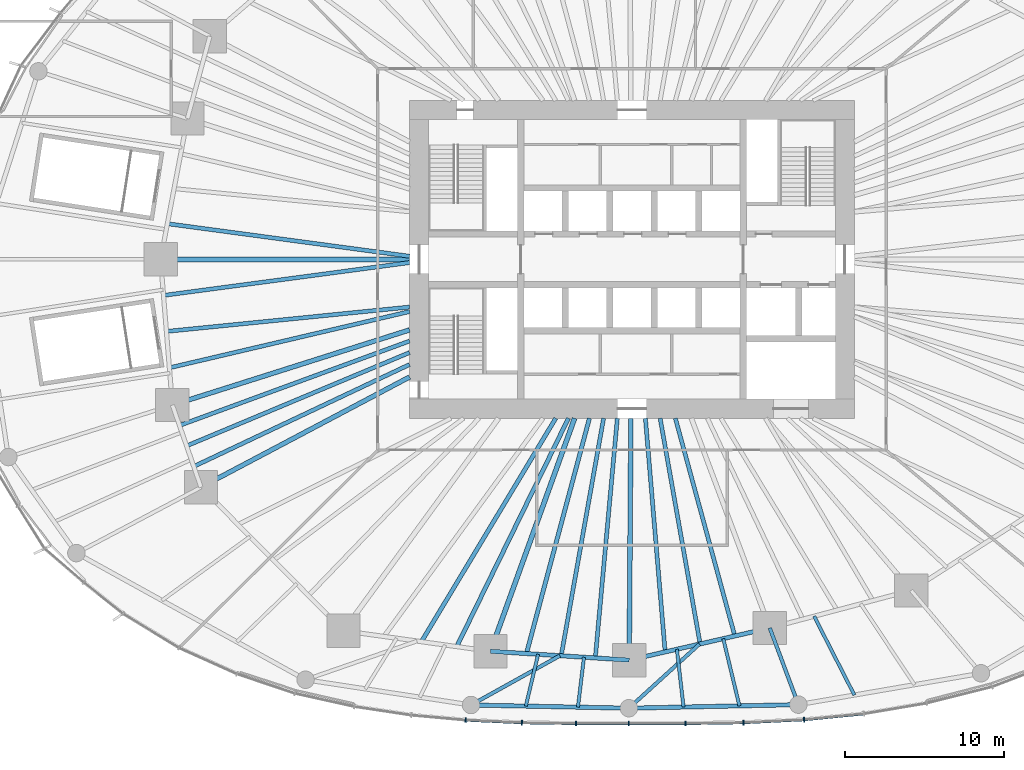
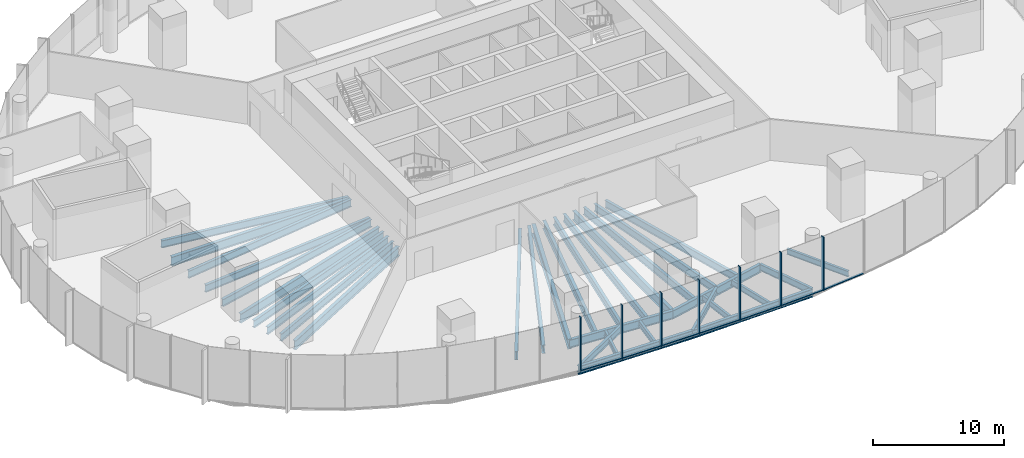
# One storey, part 3 of 27: 32 beams, 14 members, 3 elements without a shape of their own.
"""IFC4 building model written with IfcOpenShell, lengths in metres."""

from ifc_helpers import new_model, si_unit, direction, frame, origin, origin_2d, place, context, subcontext, project, spatial, rectangle, i_section, extrude, material, material_profile, profile_set, type_object, element, aggregate, save


model = new_model("IFC4")

# Units and contexts
model_context = context("Model", 3, precision=1e-05, world=origin(), true_north=direction((0.0, 1.0)))
body_context = subcontext(model_context, "Body", "Model", "MODEL_VIEW")
ifc_project = project(units=[si_unit("LENGTHUNIT", "METRE"), si_unit("AREAUNIT", "SQUARE_METRE"), si_unit("VOLUMEUNIT", "CUBIC_METRE"), si_unit("PLANEANGLEUNIT", "RADIAN"), si_unit("MASSUNIT", "GRAM", prefix="KILO")], contexts=[model_context])

# Site, building, storey
site_placement = place(None, origin())
site = spatial("IfcSite", under=ifc_project, at=site_placement, CompositionType="ELEMENT")
building_placement = place(site_placement, origin())
building = spatial("IfcBuilding", under=site, at=building_placement, Name="Ghaith Harvest Tower", CompositionType="ELEMENT")
storey_placement = place(building_placement, frame((0.0, 0.0, 10.0)))
storey = spatial("IfcBuildingStorey", under=building, at=storey_placement, Name="L02", CompositionType="ELEMENT", Elevation=10.0)

# Curtain wall, members
ifc_material_1 = material(Name="Black anodised aluminium and fritted glass", Category="aluminium")
curtain_wall_type = type_object("IfcCurtainWallType", Name="CW-P CURTAIN WALL", PredefinedType="NOTDEFINED", material=ifc_material_1)
curtain_wall_1_placement = place(storey_placement, origin())
curtain_wall_1 = element("IfcCurtainWall", 1, at=curtain_wall_1_placement, inside=storey, type_object=curtain_wall_type, Name="Curtain wall CW-P bay 15 L02", PredefinedType="NOTDEFINED")
ifc_material_2 = material(Name="Aluminium, black anodised", Category="aluminium")
ifc_material_profile_1 = material_profile(ifc_material_2, rectangle(XDim=0.080078125, YDim=0.300048828125, at=origin_2d()), Name="CW-P MULLION 80x300")
ifc_profile_set_1 = profile_set([ifc_material_profile_1], Name="Aluminium, black anodised")
member_type_1 = type_object("IfcMemberType", Name="CW-P MULLION 80x300", PredefinedType="MULLION", material=ifc_profile_set_1)
member_1_placement = place(storey_placement, frame((-10.47412109375, -28.99951171875, 0.0), z_axis=(0.0, 0.0, 1.0), x_axis=(0.997678039271, -0.06810675412, 0.0)))
member_1 = element("IfcMember", 2, at=member_1_placement, type_object=member_type_1, Name="CW-P mullion 1 bay 15 L02", PredefinedType="MULLION", context=body_context, shape_type="SweptSolid", body=[
    extrude(rectangle(XDim=0.080078125, YDim=0.300048828125, at=origin_2d()), origin(), (0.0, 0.0, 1.0), 5.0),
])
member_2_placement = place(storey_placement, frame((-6.931396484375, -29.1630859375, 0.0), z_axis=(0.0, 0.0, 1.0), x_axis=(0.999511883012, -0.031240930161, 0.0)))
member_2 = element("IfcMember", 3, at=member_2_placement, type_object=member_type_1, Name="CW-P mullion 2 bay 15 L02", PredefinedType="MULLION", context=body_context, shape_type="SweptSolid", body=[
    extrude(rectangle(XDim=0.080078125, YDim=0.300048828125, at=origin_2d()), origin(), (0.0, 0.0, 1.0), 5.0),
])
member_3_placement = place(storey_placement, frame((-3.52587890625, -29.216796875, 0.0), z_axis=(0.0, 0.0, 1.0), x_axis=(0.999964009515, -0.008484083564, 0.0)))
member_3 = element("IfcMember", 4, at=member_3_placement, type_object=member_type_1, Name="CW-P mullion 3 bay 15 L02", PredefinedType="MULLION", context=body_context, shape_type="SweptSolid", body=[
    extrude(rectangle(XDim=0.080078125, YDim=0.300048828125, at=origin_2d()), origin(), (0.0, 0.0, 1.0), 5.0),
])

curtain_wall_2_placement = place(storey_placement, origin())
curtain_wall_2 = element("IfcCurtainWall", 5, at=curtain_wall_2_placement, inside=storey, type_object=curtain_wall_type, Name="Curtain wall CW-P bay 16 L02", PredefinedType="NOTDEFINED")
member_4_placement = place(storey_placement, frame((-0.199951171875, -29.219970703125, 0.0), z_axis=(0.0, 0.0, 1.0), x_axis=(0.999999991899, -0.000127289934, 0.0)))
member_4 = element("IfcMember", 6, at=member_4_placement, type_object=member_type_1, Name="CW-P mullion 1 bay 16 L02", PredefinedType="MULLION", context=body_context, shape_type="SweptSolid", body=[
    extrude(rectangle(XDim=0.080078125, YDim=0.300048828125, at=origin_2d()), origin(), (0.0, 0.0, 1.0), 5.0),
])
member_5_placement = place(storey_placement, frame((3.36572265625, -29.2177734375, 0.0), z_axis=(0.0, 0.0, 1.0), x_axis=(0.999965896499, 0.008258682643, 0.0)))
member_5 = element("IfcMember", 7, at=member_5_placement, type_object=member_type_1, Name="CW-P mullion 2 bay 16 L02", PredefinedType="MULLION", context=body_context, shape_type="SweptSolid", body=[
    extrude(rectangle(XDim=0.080078125, YDim=0.300048828125, at=origin_2d()), origin(), (0.0, 0.0, 1.0), 5.0),
])
member_6_placement = place(storey_placement, frame((7.019287109375, -29.160400390625, 0.0), z_axis=(0.0, 0.0, 1.0), x_axis=(0.999471964708, 0.032492949445, 0.0)))
member_6 = element("IfcMember", 8, at=member_6_placement, type_object=member_type_1, Name="CW-P mullion 3 bay 16 L02", PredefinedType="MULLION", context=body_context, shape_type="SweptSolid", body=[
    extrude(rectangle(XDim=0.080078125, YDim=0.300048828125, at=origin_2d()), origin(), (0.0, 0.0, 1.0), 5.0),
])

# Curtain wall, member
curtain_wall_3_placement = place(storey_placement, origin())
curtain_wall_3 = element("IfcCurtainWall", 9, at=curtain_wall_3_placement, inside=storey, type_object=curtain_wall_type, Name="Curtain wall CW-P bay 17 L02", PredefinedType="NOTDEFINED")
member_7_placement = place(storey_placement, frame((10.831787109375, -28.974853515625, 0.0), z_axis=(0.0, 0.0, 1.0), x_axis=(0.997280573598, 0.073698422803, 0.0)))
member_7 = element("IfcMember", 10, at=member_7_placement, type_object=member_type_1, Name="CW-P mullion 1 bay 17 L02", PredefinedType="MULLION", context=body_context, shape_type="SweptSolid", body=[
    extrude(rectangle(XDim=0.080078125, YDim=0.300048828125, at=origin_2d()), origin(), (0.0, 0.0, 1.0), 5.0),
])

# Member
ifc_material_3 = material(Name="Aluminium, black anodised", Category="aluminium")
ifc_material_profile_2 = material_profile(ifc_material_3, rectangle(XDim=0.179931640625, YDim=0.080078125, at=origin_2d()), Name="CW-P TRANSOM 180x80")
ifc_profile_set_2 = profile_set([ifc_material_profile_2], Name="Aluminium, black anodised")
member_type_2 = type_object("IfcMemberType", Name="CW-P TRANSOM 180x80", PredefinedType="USERDEFINED", material=ifc_profile_set_2)
member_8_placement = place(storey_placement, frame((-10.43408203125, -29.00146484375, 0.0400390625), z_axis=(0.998938704665, -0.046059356518, 0.0), x_axis=(0.046059356518, 0.998938704665, 0.0)))
member_8 = element("IfcMember", 11, at=member_8_placement, type_object=member_type_2, Name="CW-P transom 1 bay 15 L02", ObjectType="TRANSOM", PredefinedType="USERDEFINED", context=body_context, shape_type="SweptSolid", body=[
    extrude(rectangle(XDim=0.179931640625, YDim=0.080078125, at=origin_2d()), origin(), (0.0, 0.0, 1.0), 3.466552734375),
])

member_9_placement = place(storey_placement, frame((-6.891357421875, -29.16357421875, 0.0400390625), z_axis=(0.999875467118, -0.015781326195, 0.0), x_axis=(0.015781326195, 0.999875467118, 0.0)))
member_9 = element("IfcMember", 12, at=member_9_placement, type_object=member_type_2, Name="CW-P transom 2 bay 15 L02", ObjectType="TRANSOM", PredefinedType="USERDEFINED", context=body_context, shape_type="SweptSolid", body=[
    extrude(rectangle(XDim=0.179931640625, YDim=0.080078125, at=origin_2d()), origin(), (0.0, 0.0, 1.0), 3.326171875),
])

member_10_placement = place(storey_placement, frame((-3.48583984375, -29.216796875, 0.0400390625), z_axis=(0.999999521943, -0.00097781074, 0.0), x_axis=(0.00097781074, 0.999999521943, 0.0)))
member_10 = element("IfcMember", 13, at=member_10_placement, type_object=member_type_2, Name="CW-P transom 3 bay 15 L02", ObjectType="TRANSOM", PredefinedType="USERDEFINED", context=body_context, shape_type="SweptSolid", body=[
    extrude(rectangle(XDim=0.179931640625, YDim=0.080078125, at=origin_2d()), origin(), (0.0, 0.0, 1.0), 3.245849609375),
])

aggregate(curtain_wall_1, [member_1, member_8, member_2, member_9, member_3, member_10])

member_11_placement = place(storey_placement, frame((-0.159912109375, -29.219970703125, 0.0400390625), z_axis=(0.999999801308, 0.000630384409, 0.0), x_axis=(-0.000630384409, 0.999999801308, 0.0)))
member_11 = element("IfcMember", 14, at=member_11_placement, type_object=member_type_2, Name="CW-P transom 1 bay 16 L02", ObjectType="TRANSOM", PredefinedType="USERDEFINED", context=body_context, shape_type="SweptSolid", body=[
    extrude(rectangle(XDim=0.179931640625, YDim=0.080078125, at=origin_2d()), origin(), (0.0, 0.0, 1.0), 3.485595703125),
])

member_12_placement = place(storey_placement, frame((3.40576171875, -29.217041015625, 0.0400390625), z_axis=(0.999877635031, 0.015643368069, 0.0), x_axis=(-0.015643368069, 0.999877635031, 0.0)))
member_12 = element("IfcMember", 15, at=member_12_placement, type_object=member_type_2, Name="CW-P transom 2 bay 16 L02", ObjectType="TRANSOM", PredefinedType="USERDEFINED", context=body_context, shape_type="SweptSolid", body=[
    extrude(rectangle(XDim=0.179931640625, YDim=0.080078125, at=origin_2d()), origin(), (0.0, 0.0, 1.0), 3.573974609375),
])

member_13_placement = place(storey_placement, frame((7.059326171875, -29.158447265625, 0.0400390625), z_axis=(0.998818082311, 0.048604922051, 0.0), x_axis=(-0.048604922051, 0.998818082311, 0.0)))
member_13 = element("IfcMember", 16, at=member_13_placement, type_object=member_type_2, Name="CW-P transom 3 bay 16 L02", ObjectType="TRANSOM", PredefinedType="USERDEFINED", context=body_context, shape_type="SweptSolid", body=[
    extrude(rectangle(XDim=0.179931640625, YDim=0.080078125, at=origin_2d()), origin(), (0.0, 0.0, 1.0), 3.737060546875),
])

aggregate(curtain_wall_2, [member_4, member_11, member_5, member_12, member_6, member_13])

member_14_placement = place(storey_placement, frame((10.87158203125, -28.970947265625, 0.0400390625), z_axis=(0.995096989908, 0.098903896165, 0.0), x_axis=(-0.098903896165, 0.995096989908, 0.0)))
member_14 = element("IfcMember", 17, at=member_14_placement, type_object=member_type_2, Name="CW-P transom 1 bay 17 L02", ObjectType="TRANSOM", PredefinedType="USERDEFINED", context=body_context, shape_type="SweptSolid", body=[
    extrude(rectangle(XDim=0.179931640625, YDim=0.080078125, at=origin_2d()), origin(), (0.0, 0.0, 1.0), 3.70751953125),
])

aggregate(curtain_wall_3, [member_7, member_14])

# Beams
ifc_material_4 = material(Name="Steel ASTM A992 Grade 50", Category="steel")
ifc_material_profile_3 = material_profile(ifc_material_4, i_section(OverallWidth=0.26806640625, OverallDepth=0.77001953125, WebThickness=0.015625, FlangeThickness=0.025390625, at=origin_2d()), Name="W760X196")
ifc_profile_set_3 = profile_set([ifc_material_profile_3], Name="Steel ASTM A992 Grade 50")
beam_type_1 = type_object("IfcBeamType", Name="E760-196 W760X196", PredefinedType="SPANDREL", material=ifc_profile_set_3)
beam_1_placement = place(storey_placement, frame((-8.908935546875, -24.66796875, -0.635009765625), z_axis=(0.99797963184, -0.063534671101, 0.0), x_axis=(0.063534671101, 0.99797963184, 0.0)))
element("IfcBeam", 18, at=beam_1_placement, inside=storey, type_object=beam_type_1, Name="Edge beam E15 L02", PredefinedType="SPANDREL", context=body_context, shape_type="SweptSolid", body=[
    extrude(i_section(OverallWidth=0.26806640625, OverallDepth=0.77001953125, WebThickness=0.015625, FlangeThickness=0.025390625, at=origin_2d()), origin(), (0.0, 0.0, 1.0), 8.75341796875),
])
beam_2_placement = place(storey_placement, frame((-0.173095703125, -25.22412109375, -0.635009765625), z_axis=(0.974881709383, 0.22272326486, 0.0), x_axis=(-0.22272326486, 0.974881709383, 0.0)))
element("IfcBeam", 19, at=beam_2_placement, inside=storey, type_object=beam_type_1, Name="Edge beam E16 L02", PredefinedType="SPANDREL", context=body_context, shape_type="SweptSolid", body=[
    extrude(i_section(OverallWidth=0.26806640625, OverallDepth=0.77001953125, WebThickness=0.015625, FlangeThickness=0.025390625, at=origin_2d()), origin(), (0.0, 0.0, 1.0), 9.0751953125),
])
beam_3_placement = place(storey_placement, frame((-10.131103515625, -28.050048828125, -0.635009765625), z_axis=(0.999797656564, -0.02011581292, 0.0), x_axis=(0.02011581292, 0.999797656564, 0.0)))
element("IfcBeam", 20, at=beam_3_placement, inside=storey, type_object=beam_type_1, Name="Podium edge beam PE15 L02", PredefinedType="SPANDREL", context=body_context, shape_type="SweptSolid", body=[
    extrude(i_section(OverallWidth=0.26806640625, OverallDepth=0.77001953125, WebThickness=0.015625, FlangeThickness=0.025390625, at=origin_2d()), origin(), (0.0, 0.0, 1.0), 9.93994140625),
])
beam_4_placement = place(storey_placement, frame((-0.193115234375, -28.25, -0.635009765625), z_axis=(0.99978187412, 0.020885501683, 0.0), x_axis=(-0.020885501683, 0.99978187412, 0.0)))
element("IfcBeam", 21, at=beam_4_placement, inside=storey, type_object=beam_type_1, Name="Podium edge beam PE16 L02", PredefinedType="SPANDREL", context=body_context, shape_type="SweptSolid", body=[
    extrude(i_section(OverallWidth=0.26806640625, OverallDepth=0.77001953125, WebThickness=0.015625, FlangeThickness=0.025390625, at=origin_2d()), origin(), (0.0, 0.0, 1.0), 10.672607421875),
])
ifc_material_5 = material(Name="Steel ASTM A992 Grade 50", Category="steel")
ifc_material_profile_4 = material_profile(ifc_material_5, i_section(OverallWidth=0.22802734375, OverallDepth=0.60302734375, WebThickness=0.010498046875, FlangeThickness=0.014892578125, at=origin_2d()), Name="W610X101")
ifc_profile_set_4 = profile_set([ifc_material_profile_4], Name="Steel ASTM A992 Grade 50")
beam_type_2 = type_object("IfcBeamType", Name="G610-101 W610X101", PredefinedType="BEAM", material=ifc_profile_set_4)
beam_5_placement = place(storey_placement, frame((-4.541015625, -24.946044921875, -0.551513671875), z_axis=(-0.874263517669, -0.4854516471, 0.0), x_axis=(0.4854516471, -0.874263517669, 0.0)))
element("IfcBeam", 22, at=beam_5_placement, inside=storey, type_object=beam_type_2, Name="Podium radial beam PR15 L02", PredefinedType="BEAM", context=body_context, shape_type="SweptSolid", body=[
    extrude(i_section(OverallWidth=0.22802734375, OverallDepth=0.60302734375, WebThickness=0.010498046875, FlangeThickness=0.014892578125, at=origin_2d()), origin(), (0.0, 0.0, 1.0), 6.39404296875),
])
beam_6_placement = place(storey_placement, frame((4.25048828125, -24.21337890625, -0.551513671875), z_axis=(-0.740190284103, -0.672397459335, 0.0), x_axis=(0.672397459335, -0.740190284103, 0.0)))
element("IfcBeam", 23, at=beam_6_placement, inside=storey, type_object=beam_type_2, Name="Podium radial beam PR16 L02", PredefinedType="BEAM", context=body_context, shape_type="SweptSolid", body=[
    extrude(i_section(OverallWidth=0.22802734375, OverallDepth=0.60302734375, WebThickness=0.010498046875, FlangeThickness=0.014892578125, at=origin_2d()), origin(), (0.0, 0.0, 1.0), 6.00341796875),
])
beam_7_placement = place(storey_placement, frame((8.674072265625, -23.202880859375, -0.551513671875), z_axis=(0.350084216782, -0.936718229331, 0.0), x_axis=(0.936718229331, 0.350084216782, 0.0)))
element("IfcBeam", 24, at=beam_7_placement, inside=storey, type_object=beam_type_2, Name="Podium radial beam PR17 L02", PredefinedType="BEAM", context=body_context, shape_type="SweptSolid", body=[
    extrude(i_section(OverallWidth=0.22802734375, OverallDepth=0.60302734375, WebThickness=0.010498046875, FlangeThickness=0.014892578125, at=origin_2d()), origin(), (0.0, 0.0, 1.0), 5.150146484375),
])
ifc_material_6 = material(Name="Steel ASTM A992 Grade 50", Category="steel")
ifc_material_profile_5 = material_profile(ifc_material_6, i_section(OverallWidth=0.2939453125, OverallDepth=0.85107421875, WebThickness=0.01611328125, FlangeThickness=0.02685546875, at=origin_2d()), Name="W840X226")
ifc_profile_set_5 = profile_set([ifc_material_profile_5], Name="Steel ASTM A992 Grade 50")
beam_type_3 = type_object("IfcBeamType", Name="G840-226 W840X226", PredefinedType="BEAM", material=ifc_profile_set_5)
beam_8_placement = place(storey_placement, frame((-14.0, 0.0, -0.675537109375), z_axis=(-1.0, 0.0, 0.0), x_axis=(0.0, -1.0, 0.0)))
element("IfcBeam", 25, at=beam_8_placement, inside=storey, type_object=beam_type_3, Name="Radial girder G11 L02", PredefinedType="BEAM", context=body_context, shape_type="SweptSolid", body=[
    extrude(i_section(OverallWidth=0.2939453125, OverallDepth=0.85107421875, WebThickness=0.01611328125, FlangeThickness=0.02685546875, at=origin_2d()), origin(), (0.0, 0.0, 1.0), 15.675048828125),
])
beam_9_placement = place(storey_placement, frame((-14.0, -4.43701171875, -0.675537109375), z_axis=(-0.953284407194, -0.302074227636, 0.0), x_axis=(0.302074227636, -0.953284407194, 0.0)))
element("IfcBeam", 26, at=beam_9_placement, inside=storey, type_object=beam_type_3, Name="Radial girder G12 L02", PredefinedType="BEAM", context=body_context, shape_type="SweptSolid", body=[
    extrude(i_section(OverallWidth=0.2939453125, OverallDepth=0.85107421875, WebThickness=0.01611328125, FlangeThickness=0.02685546875, at=origin_2d()), origin(), (0.0, 0.0, 1.0), 15.66162109375),
])
beam_10_placement = place(storey_placement, frame((-14.0, -7.39990234375, -0.675537109375), z_axis=(-0.884097171481, -0.467303104397, 0.0), x_axis=(0.467303104397, -0.884097171481, 0.0)))
element("IfcBeam", 27, at=beam_10_placement, inside=storey, type_object=beam_type_3, Name="Radial girder G13 L02", PredefinedType="BEAM", context=body_context, shape_type="SweptSolid", body=[
    extrude(i_section(OverallWidth=0.2939453125, OverallDepth=0.85107421875, WebThickness=0.01611328125, FlangeThickness=0.02685546875, at=origin_2d()), origin(), (0.0, 0.0, 1.0), 14.853759765625),
])
beam_11_placement = place(storey_placement, frame((-0.068359375, -10.0, -0.675537109375), z_axis=(-0.006879467722, -0.999976336182, 0.0), x_axis=(0.999976336182, -0.006879467722, 0.0)))
element("IfcBeam", 28, at=beam_11_placement, inside=storey, type_object=beam_type_3, Name="Radial girder G16 L02", PredefinedType="BEAM", context=body_context, shape_type="SweptSolid", body=[
    extrude(i_section(OverallWidth=0.2939453125, OverallDepth=0.85107421875, WebThickness=0.01611328125, FlangeThickness=0.02685546875, at=origin_2d()), origin(), (0.0, 0.0, 1.0), 15.224365234375),
])
ifc_material_7 = material(Name="Steel ASTM A992 Grade 50", Category="steel")
ifc_material_profile_6 = material_profile(ifc_material_7, i_section(OverallWidth=0.31005859375, OverallDepth=0.927001953125, WebThickness=0.019287109375, FlangeThickness=0.031982421875, at=origin_2d()), Name="W920X289")
ifc_profile_set_6 = profile_set([ifc_material_profile_6], Name="Steel ASTM A992 Grade 50")
beam_type_4 = type_object("IfcBeamType", Name="G920-289 W920X289", PredefinedType="BEAM", material=ifc_profile_set_6)
beam_12_placement = place(storey_placement, frame((-3.61181640625, -10.0, -0.71337890625), z_axis=(-0.339664467784, -0.940546675782, 0.0), x_axis=(0.940546675782, -0.339664467784, 0.0)))
element("IfcBeam", 29, at=beam_12_placement, inside=storey, type_object=beam_type_4, Name="Radial girder G15 L02", PredefinedType="BEAM", context=body_context, shape_type="SweptSolid", body=[
    extrude(i_section(OverallWidth=0.31005859375, OverallDepth=0.927001953125, WebThickness=0.019287109375, FlangeThickness=0.031982421875, at=origin_2d()), origin(), (0.0, 0.0, 1.0), 15.59521484375),
])
ifc_material_8 = material(Name="Steel ASTM A992 Grade 50", Category="steel")
ifc_material_profile_7 = material_profile(ifc_material_8, i_section(OverallWidth=0.208984375, OverallDepth=0.532958984375, WebThickness=0.01025390625, FlangeThickness=0.015625, at=origin_2d()), Name="W530X92")
ifc_profile_set_7 = profile_set([ifc_material_profile_7], Name="Steel ASTM A992 Grade 50")
beam_type_5 = type_object("IfcBeamType", Name="J530-92 W530X92", PredefinedType="JOIST", material=ifc_profile_set_7)
beam_13_placement = place(storey_placement, frame((-5.908447265625, -24.85888671875, -0.5166015625), z_axis=(-0.231223276773, -0.972900712446, 0.0), x_axis=(0.972900712446, -0.231223276773, 0.0)))
element("IfcBeam", 30, at=beam_13_placement, inside=storey, type_object=beam_type_5, Name="Podium joist PJ15.1 L02", PredefinedType="JOIST", context=body_context, shape_type="SweptSolid", body=[
    extrude(i_section(OverallWidth=0.208984375, OverallDepth=0.532958984375, WebThickness=0.01025390625, FlangeThickness=0.015625, at=origin_2d()), origin(), (0.0, 0.0, 1.0), 3.351318359375),
])
beam_14_placement = place(storey_placement, frame((-3.02197265625, -25.042724609375, -0.5166015625), z_axis=(-0.119856859733, -0.992791183067, 0.0), x_axis=(0.992791183067, -0.119856859733, 0.0)))
element("IfcBeam", 31, at=beam_14_placement, inside=storey, type_object=beam_type_5, Name="Podium joist PJ15.2 L02", PredefinedType="JOIST", context=body_context, shape_type="SweptSolid", body=[
    extrude(i_section(OverallWidth=0.208984375, OverallDepth=0.532958984375, WebThickness=0.01025390625, FlangeThickness=0.015625, at=origin_2d()), origin(), (0.0, 0.0, 1.0), 3.165283203125),
])
beam_15_placement = place(storey_placement, frame((2.82666015625, -24.538818359375, -0.5166015625), z_axis=(0.114431852892, -0.9934311003, 0.0), x_axis=(0.9934311003, 0.114431852892, 0.0)))
element("IfcBeam", 32, at=beam_15_placement, inside=storey, type_object=beam_type_5, Name="Podium joist PJ16.1 L02", PredefinedType="JOIST", context=body_context, shape_type="SweptSolid", body=[
    extrude(i_section(OverallWidth=0.208984375, OverallDepth=0.532958984375, WebThickness=0.01025390625, FlangeThickness=0.015625, at=origin_2d()), origin(), (0.0, 0.0, 1.0), 3.663330078125),
])
beam_16_placement = place(storey_placement, frame((5.746337890625, -23.871826171875, -0.5166015625), z_axis=(0.23401555596, -0.972232852546, 0.0), x_axis=(0.972232852546, 0.23401555596, 0.0)))
element("IfcBeam", 33, at=beam_16_placement, inside=storey, type_object=beam_type_5, Name="Podium joist PJ16.2 L02", PredefinedType="JOIST", context=body_context, shape_type="SweptSolid", body=[
    extrude(i_section(OverallWidth=0.208984375, OverallDepth=0.532958984375, WebThickness=0.01025390625, FlangeThickness=0.015625, at=origin_2d()), origin(), (0.0, 0.0, 1.0), 4.353515625),
])
beam_17_placement = place(storey_placement, frame((11.46630859375, -22.46044921875, -0.5166015625), z_axis=(0.454718723068, -0.890635100864, 0.0), x_axis=(0.890635100864, 0.454718723068, 0.0)))
element("IfcBeam", 34, at=beam_17_placement, inside=storey, type_object=beam_type_5, Name="Podium joist PJ17.1 L02", PredefinedType="JOIST", context=body_context, shape_type="SweptSolid", body=[
    extrude(i_section(OverallWidth=0.208984375, OverallDepth=0.532958984375, WebThickness=0.01025390625, FlangeThickness=0.015625, at=origin_2d()), origin(), (0.0, 0.0, 1.0), 5.5703125),
])
ifc_material_9 = material(Name="Steel ASTM A992 Grade 50", Category="steel")
ifc_material_profile_8 = material_profile(ifc_material_9, i_section(OverallWidth=0.25390625, OverallDepth=0.68408203125, WebThickness=0.012451171875, FlangeThickness=0.018798828125, at=origin_2d()), Name="W690X140")
ifc_profile_set_8 = profile_set([ifc_material_profile_8], Name="Steel ASTM A992 Grade 50")
beam_type_6 = type_object("IfcBeamType", Name="J690-140 W690X140", PredefinedType="JOIST", material=ifc_profile_set_8)
beam_18_placement = place(storey_placement, frame((-14.0, 0.199951171875, -0.592041015625), z_axis=(-0.991095171591, 0.133155401128, 0.0), x_axis=(-0.133155401128, -0.991095171591, 0.0)))
element("IfcBeam", 35, at=beam_18_placement, inside=storey, type_object=beam_type_6, Name="Joist J10.3 L02", PredefinedType="JOIST", context=body_context, shape_type="SweptSolid", body=[
    extrude(i_section(OverallWidth=0.25390625, OverallDepth=0.68408203125, WebThickness=0.012451171875, FlangeThickness=0.018798828125, at=origin_2d()), origin(), (0.0, 0.0, 1.0), 15.383056640625),
])
beam_19_placement = place(storey_placement, frame((-14.0, -0.199951171875, -0.592041015625), z_axis=(-0.991213569042, -0.132271162948, 0.0), x_axis=(0.132271162948, -0.991213569042, 0.0)))
element("IfcBeam", 36, at=beam_19_placement, inside=storey, type_object=beam_type_6, Name="Joist J11.1 L02", PredefinedType="JOIST", context=body_context, shape_type="SweptSolid", body=[
    extrude(i_section(OverallWidth=0.25390625, OverallDepth=0.68408203125, WebThickness=0.012451171875, FlangeThickness=0.018798828125, at=origin_2d()), origin(), (0.0, 0.0, 1.0), 15.6279296875),
])
beam_20_placement = place(storey_placement, frame((-14.0, -3.0, -0.592041015625), z_axis=(-0.995023982133, -0.099635711366, 0.0), x_axis=(0.099635711366, -0.995023982133, 0.0)))
element("IfcBeam", 37, at=beam_20_placement, inside=storey, type_object=beam_type_6, Name="Joist J11.2 L02", PredefinedType="JOIST", context=body_context, shape_type="SweptSolid", body=[
    extrude(i_section(OverallWidth=0.25390625, OverallDepth=0.68408203125, WebThickness=0.012451171875, FlangeThickness=0.018798828125, at=origin_2d()), origin(), (0.0, 0.0, 1.0), 15.38330078125),
])
beam_21_placement = place(storey_placement, frame((-14.0, -3.280517578125, -0.592041015625), z_axis=(-0.973622531394, -0.228164778969, 0.0), x_axis=(0.228164778969, -0.973622531394, 0.0)))
element("IfcBeam", 38, at=beam_21_placement, inside=storey, type_object=beam_type_6, Name="Joist J11.3 L02", PredefinedType="JOIST", context=body_context, shape_type="SweptSolid", body=[
    extrude(i_section(OverallWidth=0.25390625, OverallDepth=0.68408203125, WebThickness=0.012451171875, FlangeThickness=0.018798828125, at=origin_2d()), origin(), (0.0, 0.0, 1.0), 15.5302734375),
])
beam_22_placement = place(storey_placement, frame((-14.0, -5.137939453125, -0.592041015625), z_axis=(-0.938772784742, -0.344536875569, 0.0), x_axis=(0.344536875569, -0.938772784742, 0.0)))
element("IfcBeam", 39, at=beam_22_placement, inside=storey, type_object=beam_type_6, Name="Joist J12.1 L02", PredefinedType="JOIST", context=body_context, shape_type="SweptSolid", body=[
    extrude(i_section(OverallWidth=0.25390625, OverallDepth=0.68408203125, WebThickness=0.012451171875, FlangeThickness=0.018798828125, at=origin_2d()), origin(), (0.0, 0.0, 1.0), 15.427734375),
])
beam_23_placement = place(storey_placement, frame((-14.0, -5.862548828125, -0.592041015625), z_axis=(-0.922389547545, -0.386260951404, 0.0), x_axis=(0.386260951404, -0.922389547545, 0.0)))
element("IfcBeam", 40, at=beam_23_placement, inside=storey, type_object=beam_type_6, Name="Joist J12.2 L02", PredefinedType="JOIST", context=body_context, shape_type="SweptSolid", body=[
    extrude(i_section(OverallWidth=0.25390625, OverallDepth=0.68408203125, WebThickness=0.012451171875, FlangeThickness=0.018798828125, at=origin_2d()), origin(), (0.0, 0.0, 1.0), 15.216796875),
])
beam_24_placement = place(storey_placement, frame((-14.0, -6.614990234375, -0.592041015625), z_axis=(-0.904152605228, -0.427209628239, 0.0), x_axis=(0.427209628239, -0.904152605228, 0.0)))
element("IfcBeam", 41, at=beam_24_placement, inside=storey, type_object=beam_type_6, Name="Joist J12.3 L02", PredefinedType="JOIST", context=body_context, shape_type="SweptSolid", body=[
    extrude(i_section(OverallWidth=0.25390625, OverallDepth=0.68408203125, WebThickness=0.012451171875, FlangeThickness=0.018798828125, at=origin_2d()), origin(), (0.0, 0.0, 1.0), 15.0263671875),
])
beam_25_placement = place(storey_placement, frame((-1.785888671875, -10.0, -0.592041015625), z_axis=(-0.175792307544, -0.984427277461, 0.0), x_axis=(0.984427277461, -0.175792307544, 0.0)))
element("IfcBeam", 42, at=beam_25_placement, inside=storey, type_object=beam_type_6, Name="Joist J15.2 L02", PredefinedType="JOIST", context=body_context, shape_type="SweptSolid", body=[
    extrude(i_section(OverallWidth=0.25390625, OverallDepth=0.68408203125, WebThickness=0.012451171875, FlangeThickness=0.018798828125, at=origin_2d()), origin(), (0.0, 0.0, 1.0), 15.18798828125),
])
beam_26_placement = place(storey_placement, frame((-0.92041015625, -10.0, -0.592041015625), z_axis=(-0.091651457116, -0.995791147987, 0.0), x_axis=(0.995791147987, -0.091651457116, 0.0)))
element("IfcBeam", 43, at=beam_26_placement, inside=storey, type_object=beam_type_6, Name="Joist J15.3 L02", PredefinedType="JOIST", context=body_context, shape_type="SweptSolid", body=[
    extrude(i_section(OverallWidth=0.25390625, OverallDepth=0.68408203125, WebThickness=0.012451171875, FlangeThickness=0.018798828125, at=origin_2d()), origin(), (0.0, 0.0, 1.0), 15.151611328125),
])
beam_27_placement = place(storey_placement, frame((0.844970703125, -10.0, -0.592041015625), z_axis=(0.084208979751, -0.996448115924, 0.0), x_axis=(0.996448115924, 0.084208979751, 0.0)))
element("IfcBeam", 44, at=beam_27_placement, inside=storey, type_object=beam_type_6, Name="Joist J16.1 L02", PredefinedType="JOIST", context=body_context, shape_type="SweptSolid", body=[
    extrude(i_section(OverallWidth=0.25390625, OverallDepth=0.68408203125, WebThickness=0.012451171875, FlangeThickness=0.018798828125, at=origin_2d()), origin(), (0.0, 0.0, 1.0), 14.760009765625),
])
beam_28_placement = place(storey_placement, frame((1.772705078125, -10.0, -0.592041015625), z_axis=(0.174552818486, -0.98464781194, 0.0), x_axis=(0.98464781194, 0.174552818486, 0.0)))
element("IfcBeam", 45, at=beam_28_placement, inside=storey, type_object=beam_type_6, Name="Joist J16.2 L02", PredefinedType="JOIST", context=body_context, shape_type="SweptSolid", body=[
    extrude(i_section(OverallWidth=0.25390625, OverallDepth=0.68408203125, WebThickness=0.012451171875, FlangeThickness=0.018798828125, at=origin_2d()), origin(), (0.0, 0.0, 1.0), 14.42578125),
])
beam_29_placement = place(storey_placement, frame((2.73095703125, -10.0, -0.592041015625), z_axis=(0.263463446032, -0.964669379946, 0.0), x_axis=(0.964669379946, 0.263463446032, 0.0)))
element("IfcBeam", 46, at=beam_29_placement, inside=storey, type_object=beam_type_6, Name="Joist J16.3 L02", PredefinedType="JOIST", context=body_context, shape_type="SweptSolid", body=[
    extrude(i_section(OverallWidth=0.25390625, OverallDepth=0.68408203125, WebThickness=0.012451171875, FlangeThickness=0.018798828125, at=origin_2d()), origin(), (0.0, 0.0, 1.0), 14.20751953125),
])
ifc_material_10 = material(Name="Steel ASTM A992 Grade 50", Category="steel")
ifc_material_profile_9 = material_profile(ifc_material_10, i_section(OverallWidth=0.26806640625, OverallDepth=0.77001953125, WebThickness=0.015625, FlangeThickness=0.025390625, at=origin_2d()), Name="W760X196")
ifc_profile_set_9 = profile_set([ifc_material_profile_9], Name="Steel ASTM A992 Grade 50")
beam_type_7 = type_object("IfcBeamType", Name="J760-196 W760X196", PredefinedType="JOIST", material=ifc_profile_set_9)
beam_30_placement = place(storey_placement, frame((-4.800048828125, -10.0, -0.635009765625), z_axis=(-0.515226384897, -0.85705412449, 0.0), x_axis=(0.85705412449, -0.515226384897, 0.0)))
element("IfcBeam", 47, at=beam_30_placement, inside=storey, type_object=beam_type_7, Name="Joist J14.2 L02", PredefinedType="JOIST", context=body_context, shape_type="SweptSolid", body=[
    extrude(i_section(OverallWidth=0.26806640625, OverallDepth=0.77001953125, WebThickness=0.015625, FlangeThickness=0.025390625, at=origin_2d()), origin(), (0.0, 0.0, 1.0), 16.408447265625),
])
beam_31_placement = place(storey_placement, frame((-4.0, -10.0, -0.635009765625), z_axis=(-0.439463806704, -0.898260297797, 0.0), x_axis=(0.898260297797, -0.439463806704, 0.0)))
element("IfcBeam", 48, at=beam_31_placement, inside=storey, type_object=beam_type_7, Name="Joist J14.3 L02", PredefinedType="JOIST", context=body_context, shape_type="SweptSolid", body=[
    extrude(i_section(OverallWidth=0.26806640625, OverallDepth=0.77001953125, WebThickness=0.015625, FlangeThickness=0.025390625, at=origin_2d()), origin(), (0.0, 0.0, 1.0), 16.000244140625),
])
beam_32_placement = place(storey_placement, frame((-2.677978515625, -10.0, -0.635009765625), z_axis=(-0.258693109612, -0.965959561803, 0.0), x_axis=(0.965959561803, -0.258693109612, 0.0)))
element("IfcBeam", 49, at=beam_32_placement, inside=storey, type_object=beam_type_7, Name="Joist J15.1 L02", PredefinedType="JOIST", context=body_context, shape_type="SweptSolid", body=[
    extrude(i_section(OverallWidth=0.26806640625, OverallDepth=0.77001953125, WebThickness=0.015625, FlangeThickness=0.025390625, at=origin_2d()), origin(), (0.0, 0.0, 1.0), 15.333984375),
])

save(model, "model.ifc")
